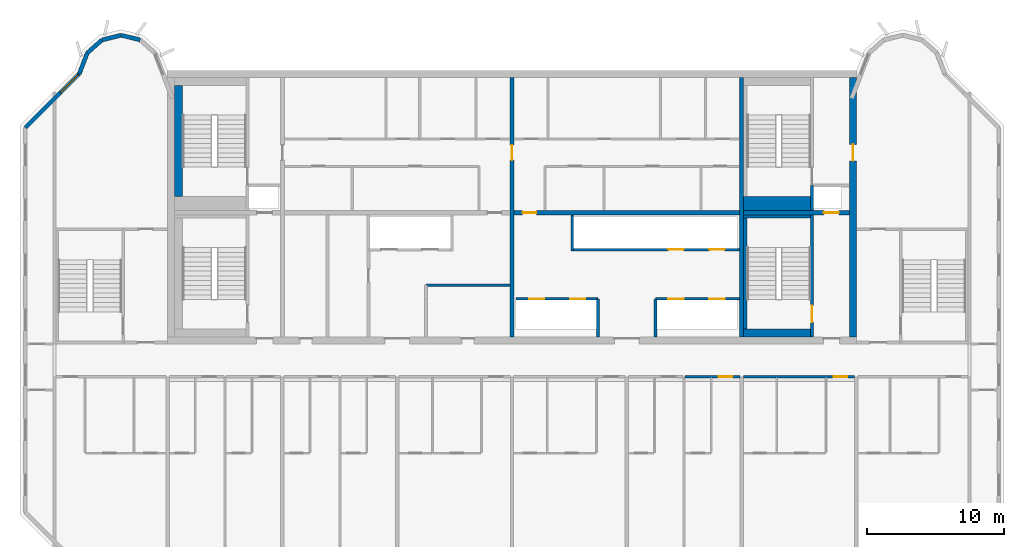
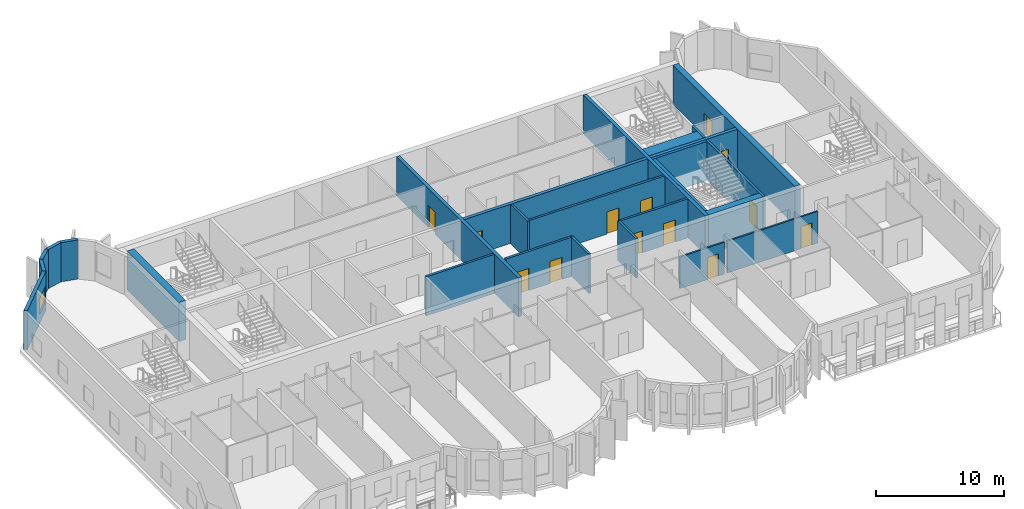
# One storey, part 6 of 12: 26 walls, 13 doors, 1 window, 14 openings.
"""IFC4 building model written with IfcOpenShell, lengths in metres."""

from ifc_helpers import new_model, si_unit, direction, frame, frame_2d, origin, place, context, subcontext, project, spatial, rectangle, extrude, source, transform, mapped, material, layer, layer_set, type_object, element, fill, save


model = new_model("IFC4")

# Units and contexts
model_context = context("Model", 3, precision=1e-05, world=origin(), true_north=direction((0.0, 1.0)))
body_context = subcontext(model_context, "Body", "Model", "MODEL_VIEW")
ifc_project = project(units=[si_unit("LENGTHUNIT", "METRE"), si_unit("AREAUNIT", "SQUARE_METRE"), si_unit("VOLUMEUNIT", "CUBIC_METRE"), si_unit("PLANEANGLEUNIT", "RADIAN"), si_unit("MASSUNIT", "GRAM", prefix="KILO")], contexts=[model_context])

# Site, building, storey
site_placement = place(None, origin())
site = spatial("IfcSite", under=ifc_project, at=site_placement, CompositionType="ELEMENT")
building_placement = place(site_placement, origin())
building = spatial("IfcBuilding", under=site, at=building_placement, Name="Vanashikhar Sky Hotel", CompositionType="ELEMENT")
storey_placement = place(building_placement, frame((0.0, 0.0, 297.699951171875)))
storey = spatial("IfcBuildingStorey", under=building, at=storey_placement, Name="L71", CompositionType="ELEMENT", Elevation=297.699951171875)

# Wall, opening, door
ifc_material_1 = material(Name="Concrete M50", Category="concrete")
ifc_layer_1 = layer(ifc_material_1, 0.5)
ifc_layer_set_1 = layer_set([ifc_layer_1], Name="RC core shell wall 500 Concrete M50")
wall_type_1 = type_object("IfcWallType", Name="RC core shell wall 500 Concrete M50", PredefinedType="SHEAR", material=ifc_layer_set_1)
shared_shape_1 = source(origin(), body_context, "Body", "SweptSolid", [
    extrude(rectangle(XDim=19.0, YDim=0.5, at=frame_2d((9.5, 0.0))), origin(), (0.0, 0.0, 1.0), 3.719970703125),
])
wall_1_placement = place(storey_placement, frame((75.35009765625, 22.5, 0.0), z_axis=(0.0, 0.0, 1.0), x_axis=(0.0, 1.0, 0.0)))
wall_1 = element("IfcWall", 1, at=wall_1_placement, inside=storey, type_object=wall_type_1, Name="KW-L71-KE", PredefinedType="SHEAR", context=body_context, shape_type="MappedRepresentation", body=[
    mapped(shared_shape_1, transform((0.0, 0.0, 0.0), scale=1.0)),
])
shared_shape_2 = source(origin(), body_context, "Body", "SweptSolid", [
    extrude(rectangle(XDim=1.199951171875, YDim=2.10009765625, at=frame_2d((0.60009765625, 1.050048828125))), frame((0.0, 0.260009765625, 0.0), z_axis=(0.0, -1.0, 0.0), x_axis=(1.0, 0.0, 0.0)), (0.0, 0.0, 1.0), 0.52001953125),
])
opening_1_placement = place(wall_1_placement, frame((12.89990234375, 0.0, 0.0)))
opening_1 = element("IfcOpeningElement", 2, at=opening_1_placement, cuts=wall_1, Name="Opening DC-4-D", PredefinedType="OPENING", context=body_context, shape_type="MappedRepresentation", body=[
    mapped(shared_shape_2, transform((0.0, 0.0, 0.0), scale=1.0)),
])
ifc_material_2 = material(Name="Steel", Category="steel")
door_type_1 = type_object("IfcDoorType", Name="Service door 1200 FD120", OperationType="NOTDEFINED", PredefinedType="DOOR", material=ifc_material_2)
shared_shape_3 = source(origin(), body_context, "Body", "SweptSolid", [
    extrude(rectangle(XDim=1.199951171875, YDim=2.10009765625, at=frame_2d((0.60009765625, 1.050048828125))), frame((0.0, 0.02490234375, 0.0), z_axis=(0.0, -1.0, 0.0), x_axis=(1.0, 0.0, 0.0)), (0.0, 0.0, 1.0), 0.050048828125),
])
door_1_placement = place(opening_1_placement, origin())
door_1 = element("IfcDoor", 3, at=door_1_placement, inside=storey, type_object=door_type_1, Name="Service door 1200 FD120", OperationType="SINGLE_SWING_LEFT", OverallHeight=2.10009765625, OverallWidth=1.199951171875, PredefinedType="DOOR", context=body_context, shape_type="MappedRepresentation", body=[
    mapped(shared_shape_3, transform((0.0, 0.0, 0.0), scale=1.0)),
])
fill(opening_1, door_1)

ifc_layer_2 = layer(ifc_material_1, 0.300048828125)
ifc_layer_set_2 = layer_set([ifc_layer_2], Name="RC core inner wall 300 Concrete M50")
wall_type_2 = type_object("IfcWallType", Name="RC core inner wall 300 Concrete M50", PredefinedType="SHEAR", material=ifc_layer_set_2)
shared_shape_4 = source(origin(), body_context, "Body", "SweptSolid", [
    extrude(rectangle(XDim=19.0, YDim=0.300048828125, at=frame_2d((9.5, 0.0))), origin(), (0.0, 0.0, 1.0), 3.719970703125),
])
wall_2_placement = place(storey_placement, frame((50.39990234375, 22.5, 0.0), z_axis=(0.0, 0.0, 1.0), x_axis=(0.0, 1.0, 0.0)))
wall_2 = element("IfcWall", 4, at=wall_2_placement, inside=storey, type_object=wall_type_2, Name="KW-L71-KX2", PredefinedType="SHEAR", context=body_context, shape_type="MappedRepresentation", body=[
    mapped(shared_shape_4, transform((0.0, 0.0, 0.0), scale=1.0)),
])
shared_shape_5 = source(origin(), body_context, "Body", "SweptSolid", [
    extrude(rectangle(XDim=1.10009765625, YDim=2.10009765625, at=frame_2d((0.550048828125, 1.050048828125))), frame((0.0, 0.16015625, 0.0), z_axis=(0.0, -1.0, 0.0), x_axis=(1.0, 0.0, 0.0)), (0.0, 0.0, 1.0), 0.320068359375),
])
opening_2_placement = place(wall_2_placement, frame((12.949951171875, 0.0, 0.0)))
opening_2 = element("IfcOpeningElement", 5, at=opening_2_placement, cuts=wall_2, Name="Opening DC-4-C", PredefinedType="OPENING", context=body_context, shape_type="MappedRepresentation", body=[
    mapped(shared_shape_5, transform((0.0, 0.0, 0.0), scale=1.0)),
])
door_type_2 = type_object("IfcDoorType", Name="Service door 1100 FD60", OperationType="NOTDEFINED", PredefinedType="DOOR", material=ifc_material_2)
shared_shape_6 = source(origin(), body_context, "Body", "SweptSolid", [
    extrude(rectangle(XDim=1.10009765625, YDim=2.10009765625, at=frame_2d((0.550048828125, 1.050048828125))), frame((0.0, 0.02490234375, 0.0), z_axis=(0.0, -1.0, 0.0), x_axis=(1.0, 0.0, 0.0)), (0.0, 0.0, 1.0), 0.050048828125),
])
door_2_placement = place(opening_2_placement, origin())
door_2 = element("IfcDoor", 6, at=door_2_placement, inside=storey, type_object=door_type_2, Name="Service door 1100 FD60", OperationType="SINGLE_SWING_LEFT", OverallHeight=2.10009765625, OverallWidth=1.10009765625, PredefinedType="DOOR", context=body_context, shape_type="MappedRepresentation", body=[
    mapped(shared_shape_6, transform((0.0, 0.0, 0.0), scale=1.0)),
])
fill(opening_2, door_2)

# Wall
wall_3_placement = place(storey_placement, frame((67.199951171875, 22.5, 0.0), z_axis=(0.0, 0.0, 1.0), x_axis=(0.0, 1.0, 0.0)))
element("IfcWall", 7, at=wall_3_placement, inside=storey, type_object=wall_type_2, Name="KW-L71-KX3", PredefinedType="SHEAR", context=body_context, shape_type="MappedRepresentation", body=[
    mapped(shared_shape_4, transform((0.0, 0.0, 0.0), scale=1.0)),
])

# Wall, opening, door
shared_shape_7 = source(origin(), body_context, "Body", "SweptSolid", [
    extrude(rectangle(XDim=7.75, YDim=0.300048828125, at=frame_2d((3.875, 0.0))), origin(), (0.0, 0.0, 1.0), 3.719970703125),
])
wall_4_placement = place(storey_placement, frame((67.35009765625, 31.60009765625, 0.0), z_axis=(0.0, 0.0, 1.0), x_axis=(1.0, 0.0, 0.0)))
wall_4 = element("IfcWall", 8, at=wall_4_placement, inside=storey, type_object=wall_type_2, Name="KW-L71-KY4", PredefinedType="SHEAR", context=body_context, shape_type="MappedRepresentation", body=[
    mapped(shared_shape_7, transform((0.0, 0.0, 0.0), scale=1.0)),
])
opening_3_placement = place(wall_4_placement, frame((5.875, 0.0, 0.0)))
opening_3 = element("IfcOpeningElement", 9, at=opening_3_placement, cuts=wall_4, Name="Opening LD", PredefinedType="OPENING", context=body_context, shape_type="MappedRepresentation", body=[
    mapped(shared_shape_5, transform((0.0, 0.0, 0.0), scale=1.0)),
])
ifc_material_3 = material(Name="Stainless steel", Category="steel")
door_type_3 = type_object("IfcDoorType", Name="Lift landing door 1100", OperationType="NOTDEFINED", PredefinedType="DOOR", material=ifc_material_3)
door_3_placement = place(opening_3_placement, origin())
door_3 = element("IfcDoor", 10, at=door_3_placement, inside=storey, type_object=door_type_3, Name="Lift landing door 1100", OperationType="SLIDING_TO_LEFT", OverallHeight=2.10009765625, OverallWidth=1.10009765625, PredefinedType="DOOR", context=body_context, shape_type="MappedRepresentation", body=[
    mapped(shared_shape_6, transform((0.0, 0.0, 0.0), scale=1.0)),
])
fill(opening_3, door_3)

shared_shape_8 = source(origin(), body_context, "Body", "SweptSolid", [
    extrude(rectangle(XDim=16.5, YDim=0.300048828125, at=frame_2d((8.25, 0.0))), origin(), (0.0, 0.0, 1.0), 3.719970703125),
])
wall_5_placement = place(storey_placement, frame((50.550048828125, 31.60009765625, 0.0), z_axis=(0.0, 0.0, 1.0), x_axis=(1.0, 0.0, 0.0)))
wall_5 = element("IfcWall", 11, at=wall_5_placement, inside=storey, type_object=wall_type_2, Name="KW-L71-KY3", PredefinedType="SHEAR", context=body_context, shape_type="MappedRepresentation", body=[
    mapped(shared_shape_8, transform((0.0, 0.0, 0.0), scale=1.0)),
])
shared_shape_9 = source(origin(), body_context, "Body", "SweptSolid", [
    extrude(rectangle(XDim=1.0, YDim=2.10009765625, at=frame_2d((0.5, 1.050048828125))), frame((0.0, 0.16015625, 0.0), z_axis=(0.0, -1.0, 0.0), x_axis=(1.0, 0.0, 0.0)), (0.0, 0.0, 1.0), 0.320068359375),
])
opening_4_placement = place(wall_5_placement, frame((0.625, 0.0, 0.0)))
opening_4 = element("IfcOpeningElement", 12, at=opening_4_placement, cuts=wall_5, Name="Opening DC-4", PredefinedType="OPENING", context=body_context, shape_type="MappedRepresentation", body=[
    mapped(shared_shape_9, transform((0.0, 0.0, 0.0), scale=1.0)),
])
door_type_4 = type_object("IfcDoorType", Name="Service door 1000 FD60", OperationType="NOTDEFINED", PredefinedType="DOOR", material=ifc_material_2)
shared_shape_10 = source(origin(), body_context, "Body", "SweptSolid", [
    extrude(rectangle(XDim=1.0, YDim=2.10009765625, at=frame_2d((0.5, 1.050048828125))), frame((0.0, 0.02490234375, 0.0), z_axis=(0.0, -1.0, 0.0), x_axis=(1.0, 0.0, 0.0)), (0.0, 0.0, 1.0), 0.050048828125),
])
door_4_placement = place(opening_4_placement, origin())
door_4 = element("IfcDoor", 13, at=door_4_placement, inside=storey, type_object=door_type_4, Name="Service door 1000 FD60", OperationType="SINGLE_SWING_RIGHT", OverallHeight=2.10009765625, OverallWidth=1.0, PredefinedType="DOOR", context=body_context, shape_type="MappedRepresentation", body=[
    mapped(shared_shape_10, transform((0.0, 0.0, 0.0), scale=1.0)),
])
fill(opening_4, door_4)

# Wall, opening, window
ifc_layer_3 = layer(ifc_material_1, 0.300048828125)
ifc_layer_set_3 = layer_set([ifc_layer_3], Name="Lobe wall 300")
wall_type_3 = type_object("IfcWallType", Name="Lobe wall 300", PredefinedType="SOLIDWALL", material=ifc_layer_set_3)
shared_shape_11 = source(origin(), body_context, "Body", "SweptSolid", [
    extrude(rectangle(XDim=5.576416015625, YDim=0.300048828125, at=frame_2d((2.7880859375, 0.0))), origin(), (0.0, 0.0, 1.0), 3.719970703125),
])
wall_6_placement = place(storey_placement, frame((18.7431640625, 41.77734375, 0.0), z_axis=(0.0, 0.0, 1.0), x_axis=(-0.707106781187, -0.707106781187, 0.0)))
wall_6 = element("IfcWall", 14, at=wall_6_placement, inside=storey, type_object=wall_type_3, Name="Corner wall", PredefinedType="SOLIDWALL", context=body_context, shape_type="MappedRepresentation", body=[
    mapped(shared_shape_11, transform((0.0, 0.0, 0.0), scale=1.0)),
])
shared_shape_12 = source(origin(), body_context, "Body", "SweptSolid", [
    extrude(rectangle(XDim=1.800048828125, YDim=1.5, at=frame_2d((0.89990234375, 0.75))), frame((0.0, 0.16015625, 0.0), z_axis=(0.0, -1.0, 0.0), x_axis=(1.0, 0.0, 0.0)), (0.0, 0.0, 1.0), 0.320068359375),
])
opening_5_placement = place(wall_6_placement, frame((0.135498046875, 0.0, 0.89990234375)))
opening_5 = element("IfcOpeningElement", 15, at=opening_5_placement, cuts=wall_6, Name="Opening WN-4", PredefinedType="OPENING", context=body_context, shape_type="MappedRepresentation", body=[
    mapped(shared_shape_12, transform((0.0, 0.0, 0.0), scale=1.0)),
])
ifc_material_4 = material(Name="Glass", Category="glass")
window_type = type_object("IfcWindowType", Name="Corner window 1800 x 1500", PartitioningType="SINGLE_PANEL", PredefinedType="WINDOW", material=ifc_material_4)
shared_shape_13 = source(origin(), body_context, "Body", "SweptSolid", [
    extrude(rectangle(XDim=1.800048828125, YDim=1.5, at=frame_2d((0.89990234375, 0.75))), frame((0.0, 0.030029296875, 0.0), z_axis=(0.0, -1.0, 0.0), x_axis=(1.0, 0.0, 0.0)), (0.0, 0.0, 1.0), 0.06005859375),
])
window_placement = place(opening_5_placement, origin())
window = element("IfcWindow", 16, at=window_placement, inside=storey, type_object=window_type, Name="Window WN-4", OverallHeight=1.5, OverallWidth=1.800048828125, PartitioningType="SINGLE_PANEL", PredefinedType="WINDOW", context=body_context, shape_type="MappedRepresentation", body=[
    mapped(shared_shape_13, transform((0.0, 0.0, 0.0), scale=1.0)),
])
fill(opening_5, window)

# Walls
shared_shape_14 = source(origin(), body_context, "Body", "SweptSolid", [
    extrude(rectangle(XDim=1.6220703125, YDim=0.300048828125, at=frame_2d((0.81103515625, 0.0))), origin(), (0.0, 0.0, 1.0), 3.719970703125),
])
wall_7_placement = place(storey_placement, frame((19.323486328125, 43.2919921875, 0.0), z_axis=(0.0, 0.0, 1.0), x_axis=(-0.357778527068, -0.933806471154, 0.0)))
element("IfcWall", 17, at=wall_7_placement, inside=storey, type_object=wall_type_3, Name="Lobe wall", PredefinedType="SOLIDWALL", context=body_context, shape_type="MappedRepresentation", body=[
    mapped(shared_shape_14, transform((0.0, 0.0, 0.0), scale=1.0)),
])
shared_shape_15 = source(origin(), body_context, "Body", "SweptSolid", [
    extrude(rectangle(XDim=1.43994140625, YDim=0.300048828125, at=frame_2d((0.719970703125, 0.0))), origin(), (0.0, 0.0, 1.0), 3.719970703125),
])
wall_8_placement = place(storey_placement, frame((20.40283203125, 44.2451171875, 0.0), z_axis=(0.0, 0.0, 1.0), x_axis=(-0.74957555648, -0.661918790432, 0.0)))
element("IfcWall", 18, at=wall_8_placement, inside=storey, type_object=wall_type_3, Name="Lobe wall", PredefinedType="SOLIDWALL", context=body_context, shape_type="MappedRepresentation", body=[
    mapped(shared_shape_15, transform((0.0, 0.0, 0.0), scale=1.0)),
])
shared_shape_16 = source(origin(), body_context, "Body", "SweptSolid", [
    extrude(rectangle(XDim=1.438720703125, YDim=0.300048828125, at=frame_2d((0.71923828125, 0.0))), origin(), (0.0, 0.0, 1.0), 3.719970703125),
])
wall_9_placement = place(storey_placement, frame((21.800048828125, 44.588134765625, 0.0), z_axis=(0.0, 0.0, 1.0), x_axis=(-0.971161932466, -0.238420848351, 0.0)))
element("IfcWall", 19, at=wall_9_placement, inside=storey, type_object=wall_type_3, Name="Lobe wall", PredefinedType="SOLIDWALL", context=body_context, shape_type="MappedRepresentation", body=[
    mapped(shared_shape_16, transform((0.0, 0.0, 0.0), scale=1.0)),
])
shared_shape_17 = source(origin(), body_context, "Body", "SweptSolid", [
    extrude(rectangle(XDim=1.4384765625, YDim=0.300048828125, at=frame_2d((0.71923828125, 0.0))), origin(), (0.0, 0.0, 1.0), 3.719970703125),
])
wall_10_placement = place(storey_placement, frame((23.197021484375, 44.2451171875, 0.0), z_axis=(0.0, 0.0, 1.0), x_axis=(-0.971152283879, 0.238460146601, 0.0)))
element("IfcWall", 20, at=wall_10_placement, inside=storey, type_object=wall_type_3, Name="Lobe wall", PredefinedType="SOLIDWALL", context=body_context, shape_type="MappedRepresentation", body=[
    mapped(shared_shape_17, transform((0.0, 0.0, 0.0), scale=1.0)),
])

# Wall, openings, doors
ifc_material_5 = material(Name="Concrete M40", Category="concrete")
ifc_layer_4 = layer(ifc_material_5, 0.199951171875)
ifc_layer_set_4 = layer_set([ifc_layer_4], Name="Shaft wall 200")
wall_type_4 = type_object("IfcWallType", Name="Shaft wall 200", PredefinedType="SOLIDWALL", material=ifc_layer_set_4)
shared_shape_18 = source(origin(), body_context, "Body", "SweptSolid", [
    extrude(rectangle(XDim=6.0, YDim=0.199951171875, at=frame_2d((3.0, 0.0))), origin(), (0.0, 0.0, 1.0), 3.719970703125),
])
wall_11_placement = place(storey_placement, frame((56.699951171875, 25.300048828125, 0.0), z_axis=(0.0, 0.0, 1.0), x_axis=(-1.0, 0.0, 0.0)))
wall_11 = element("IfcWall", 21, at=wall_11_placement, inside=storey, type_object=wall_type_4, Name="Shaft wall 200", PredefinedType="SOLIDWALL", context=body_context, shape_type="MappedRepresentation", body=[
    mapped(shared_shape_18, transform((0.0, 0.0, 0.0), scale=1.0)),
])
shared_shape_19 = source(origin(), body_context, "Body", "SweptSolid", [
    extrude(rectangle(XDim=1.10009765625, YDim=2.10009765625, at=frame_2d((0.550048828125, 1.050048828125))), frame((0.0, 0.10986328125, 0.0), z_axis=(0.0, -1.0, 0.0), x_axis=(1.0, 0.0, 0.0)), (0.0, 0.0, 1.0), 0.219970703125),
])
opening_6_placement = place(wall_11_placement, frame((0.949951171875, 0.0, 0.0)))
opening_6 = element("IfcOpeningElement", 22, at=opening_6_placement, cuts=wall_11, Name="Opening LD", PredefinedType="OPENING", context=body_context, shape_type="MappedRepresentation", body=[
    mapped(shared_shape_19, transform((0.0, 0.0, 0.0), scale=1.0)),
])
opening_7_placement = place(wall_11_placement, frame((3.949951171875, 0.0, 0.0)))
opening_7 = element("IfcOpeningElement", 23, at=opening_7_placement, cuts=wall_11, Name="Opening LD", PredefinedType="OPENING", context=body_context, shape_type="MappedRepresentation", body=[
    mapped(shared_shape_19, transform((0.0, 0.0, 0.0), scale=1.0)),
])
door_5_placement = place(opening_6_placement, origin())
door_5 = element("IfcDoor", 24, at=door_5_placement, inside=storey, type_object=door_type_3, Name="Lift landing door 1100", OperationType="SLIDING_TO_RIGHT", OverallHeight=2.10009765625, OverallWidth=1.10009765625, PredefinedType="DOOR", context=body_context, shape_type="MappedRepresentation", body=[
    mapped(shared_shape_6, transform((0.0, 0.0, 0.0), scale=1.0)),
])
fill(opening_6, door_5)
door_6_placement = place(opening_7_placement, origin())
door_6 = element("IfcDoor", 25, at=door_6_placement, inside=storey, type_object=door_type_3, Name="Lift landing door 1100", OperationType="SLIDING_TO_LEFT", OverallHeight=2.10009765625, OverallWidth=1.10009765625, PredefinedType="DOOR", context=body_context, shape_type="MappedRepresentation", body=[
    mapped(shared_shape_6, transform((0.0, 0.0, 0.0), scale=1.0)),
])
fill(opening_7, door_6)

# Walls
shared_shape_20 = source(origin(), body_context, "Body", "SweptSolid", [
    extrude(rectangle(XDim=2.800048828125, YDim=0.199951171875, at=frame_2d((1.39990234375, 0.0))), origin(), (0.0, 0.0, 1.0), 3.719970703125),
])
for number, where, z_axis, x_axis, name in (
    (26, (60.89990234375, 22.5, 0.0), (0.0, 0.0, 1.0), (0.0, 1.0, 0.0), "Shaft wall 200"),
    (27, (56.699951171875, 22.5, 0.0), (0.0, 0.0, 1.0), (0.0, 1.0, 0.0), "Shaft wall 200"),
):
    element("IfcWall", number, at=place(storey_placement, frame(where, z_axis=z_axis, x_axis=x_axis)), inside=storey, type_object=wall_type_4, Name=name, PredefinedType="SOLIDWALL", context=body_context, shape_type="MappedRepresentation", body=[
        mapped(shared_shape_20, transform((0.0, 0.0, 0.0), scale=1.0)),
    ])
shared_shape_21 = source(origin(), body_context, "Body", "SweptSolid", [
    extrude(rectangle(XDim=2.64990234375, YDim=0.199951171875, at=frame_2d((1.324951171875, 0.0))), origin(), (0.0, 0.0, 1.0), 3.719970703125),
])
wall_12_placement = place(storey_placement, frame((54.800048828125, 28.800048828125, 0.0), z_axis=(0.0, 0.0, 1.0), x_axis=(0.0, 1.0, 0.0)))
element("IfcWall", 28, at=wall_12_placement, inside=storey, type_object=wall_type_4, Name="Shaft wall 200", PredefinedType="SOLIDWALL", context=body_context, shape_type="MappedRepresentation", body=[
    mapped(shared_shape_21, transform((0.0, 0.0, 0.0), scale=1.0)),
])
ifc_material_6 = material(Name="Gypsum board partition")
ifc_layer_5 = layer(ifc_material_6, 0.14990234375)
ifc_layer_set_5 = layer_set([ifc_layer_5], Name="Service partition 150")
wall_type_5 = type_object("IfcWallType", Name="Service partition 150", PredefinedType="PARTITIONING", material=ifc_layer_set_5)
shared_shape_22 = source(origin(), body_context, "Body", "SweptSolid", [
    extrude(rectangle(XDim=6.14990234375, YDim=0.199951171875, at=frame_2d((3.074951171875, 0.0))), origin(), (0.0, 0.0, 1.0), 3.719970703125),
])
wall_13_placement = place(storey_placement, frame((44.10009765625, 26.300048828125, 0.0), z_axis=(0.0, 0.0, 1.0), x_axis=(1.0, 0.0, 0.0)))
element("IfcWall", 29, at=wall_13_placement, inside=storey, type_object=wall_type_5, Name="Service partition 150", PredefinedType="PARTITIONING", context=body_context, shape_type="MappedRepresentation", body=[
    mapped(shared_shape_22, transform((0.0, 0.0, 0.0), scale=1.0)),
])

# Wall, openings, doors
shared_shape_23 = source(origin(), body_context, "Body", "SweptSolid", [
    extrude(rectangle(XDim=6.150146484375, YDim=0.199951171875, at=frame_2d((3.0751953125, 0.0))), origin(), (0.0, 0.0, 1.0), 3.719970703125),
])
wall_14_placement = place(storey_placement, frame((67.050048828125, 25.300048828125, 0.0), z_axis=(0.0, 0.0, 1.0), x_axis=(-1.0, 0.0, 0.0)))
wall_14 = element("IfcWall", 30, at=wall_14_placement, inside=storey, type_object=wall_type_4, Name="Shaft wall 200", PredefinedType="SOLIDWALL", context=body_context, shape_type="MappedRepresentation", body=[
    mapped(shared_shape_23, transform((0.0, 0.0, 0.0), scale=1.0)),
])
opening_8_placement = place(wall_14_placement, frame((1.10009765625, 0.0, 0.0)))
opening_8 = element("IfcOpeningElement", 31, at=opening_8_placement, cuts=wall_14, Name="Opening LD", PredefinedType="OPENING", context=body_context, shape_type="MappedRepresentation", body=[
    mapped(shared_shape_19, transform((0.0, 0.0, 0.0), scale=1.0)),
])
opening_9_placement = place(wall_14_placement, frame((4.10009765625, 0.0, 0.0)))
opening_9 = element("IfcOpeningElement", 32, at=opening_9_placement, cuts=wall_14, Name="Opening LD", PredefinedType="OPENING", context=body_context, shape_type="MappedRepresentation", body=[
    mapped(shared_shape_19, transform((0.0, 0.0, 0.0), scale=1.0)),
])
door_7_placement = place(opening_8_placement, origin())
door_7 = element("IfcDoor", 33, at=door_7_placement, inside=storey, type_object=door_type_3, Name="Lift landing door 1100", OperationType="SLIDING_TO_RIGHT", OverallHeight=2.10009765625, OverallWidth=1.10009765625, PredefinedType="DOOR", context=body_context, shape_type="MappedRepresentation", body=[
    mapped(shared_shape_6, transform((0.0, 0.0, 0.0), scale=1.0)),
])
fill(opening_8, door_7)
door_8_placement = place(opening_9_placement, origin())
door_8 = element("IfcDoor", 34, at=door_8_placement, inside=storey, type_object=door_type_3, Name="Lift landing door 1100", OperationType="SLIDING_TO_LEFT", OverallHeight=2.10009765625, OverallWidth=1.10009765625, PredefinedType="DOOR", context=body_context, shape_type="MappedRepresentation", body=[
    mapped(shared_shape_6, transform((0.0, 0.0, 0.0), scale=1.0)),
])
fill(opening_9, door_8)

shared_shape_24 = source(origin(), body_context, "Body", "SweptSolid", [
    extrude(rectangle(XDim=12.150146484375, YDim=0.199951171875, at=frame_2d((6.0751953125, 0.0))), origin(), (0.0, 0.0, 1.0), 3.719970703125),
])
wall_15_placement = place(storey_placement, frame((67.050048828125, 28.89990234375, 0.0), z_axis=(0.0, 0.0, 1.0), x_axis=(-1.0, 0.0, 0.0)))
wall_15 = element("IfcWall", 35, at=wall_15_placement, inside=storey, type_object=wall_type_4, Name="Shaft wall 200", PredefinedType="SOLIDWALL", context=body_context, shape_type="MappedRepresentation", body=[
    mapped(shared_shape_24, transform((0.0, 0.0, 0.0), scale=1.0)),
])
opening_10_placement = place(wall_15_placement, frame((1.10009765625, 0.0, 0.0)))
opening_10 = element("IfcOpeningElement", 36, at=opening_10_placement, cuts=wall_15, Name="Opening LD", PredefinedType="OPENING", context=body_context, shape_type="MappedRepresentation", body=[
    mapped(shared_shape_19, transform((0.0, 0.0, 0.0), scale=1.0)),
])
opening_11_placement = place(wall_15_placement, frame((4.10009765625, 0.0, 0.0)))
opening_11 = element("IfcOpeningElement", 37, at=opening_11_placement, cuts=wall_15, Name="Opening LD", PredefinedType="OPENING", context=body_context, shape_type="MappedRepresentation", body=[
    mapped(shared_shape_19, transform((0.0, 0.0, 0.0), scale=1.0)),
])
door_9_placement = place(opening_10_placement, origin())
door_9 = element("IfcDoor", 38, at=door_9_placement, inside=storey, type_object=door_type_3, Name="Lift landing door 1100", OperationType="SLIDING_TO_RIGHT", OverallHeight=2.10009765625, OverallWidth=1.10009765625, PredefinedType="DOOR", context=body_context, shape_type="MappedRepresentation", body=[
    mapped(shared_shape_6, transform((0.0, 0.0, 0.0), scale=1.0)),
])
fill(opening_10, door_9)
door_10_placement = place(opening_11_placement, origin())
door_10 = element("IfcDoor", 39, at=door_10_placement, inside=storey, type_object=door_type_3, Name="Lift landing door 1100", OperationType="SLIDING_TO_LEFT", OverallHeight=2.10009765625, OverallWidth=1.10009765625, PredefinedType="DOOR", context=body_context, shape_type="MappedRepresentation", body=[
    mapped(shared_shape_6, transform((0.0, 0.0, 0.0), scale=1.0)),
])
fill(opening_11, door_10)

# Wall, opening, door
ifc_layer_6 = layer(ifc_material_1, 0.199951171875)
ifc_layer_set_6 = layer_set([ifc_layer_6], Name="Stair wall 200")
wall_type_6 = type_object("IfcWallType", Name="Stair wall 200", PredefinedType="SOLIDWALL", material=ifc_layer_set_6)
shared_shape_25 = source(origin(), body_context, "Body", "SweptSolid", [
    extrude(rectangle(XDim=8.949951171875, YDim=0.199951171875, at=frame_2d((4.47509765625, 0.0))), origin(), (0.0, 0.0, 1.0), 3.719970703125),
])
wall_16_placement = place(storey_placement, frame((72.35009765625, 22.5, 0.0), z_axis=(0.0, 0.0, 1.0), x_axis=(0.0, 1.0, 0.0)))
wall_16 = element("IfcWall", 40, at=wall_16_placement, inside=storey, type_object=wall_type_6, Name="Stair wall 200", PredefinedType="SOLIDWALL", context=body_context, shape_type="MappedRepresentation", body=[
    mapped(shared_shape_25, transform((0.0, 0.0, 0.0), scale=1.0)),
])
shared_shape_26 = source(origin(), body_context, "Body", "SweptSolid", [
    extrude(rectangle(XDim=1.199951171875, YDim=2.10009765625, at=frame_2d((0.60009765625, 1.050048828125))), frame((0.0, 0.10986328125, 0.0), z_axis=(0.0, -1.0, 0.0), x_axis=(1.0, 0.0, 0.0)), (0.0, 0.0, 1.0), 0.219970703125),
])
opening_12_placement = place(wall_16_placement, frame((1.10009765625, 0.0, 0.0)))
opening_12 = element("IfcOpeningElement", 41, at=opening_12_placement, cuts=wall_16, Name="Opening DC-1", PredefinedType="OPENING", context=body_context, shape_type="MappedRepresentation", body=[
    mapped(shared_shape_26, transform((0.0, 0.0, 0.0), scale=1.0)),
])
door_type_5 = type_object("IfcDoorType", Name="Stair door 1200 FD120", OperationType="NOTDEFINED", PredefinedType="DOOR", material=ifc_material_2)
door_11_placement = place(opening_12_placement, origin())
door_11 = element("IfcDoor", 42, at=door_11_placement, inside=storey, type_object=door_type_5, Name="Stair door 1200 FD120", OperationType="SINGLE_SWING_LEFT", OverallHeight=2.10009765625, OverallWidth=1.199951171875, PredefinedType="DOOR", context=body_context, shape_type="MappedRepresentation", body=[
    mapped(shared_shape_3, transform((0.0, 0.0, 0.0), scale=1.0)),
])
fill(opening_12, door_11)

# Walls
shared_shape_27 = source(origin(), body_context, "Body", "SweptSolid", [
    extrude(rectangle(XDim=1.85009765625, YDim=0.199951171875, at=frame_2d((0.925048828125, 0.0))), origin(), (0.0, 0.0, 1.0), 3.719970703125),
])
wall_17_placement = place(storey_placement, frame((72.35009765625, 31.75, 0.0), z_axis=(0.0, 0.0, 1.0), x_axis=(0.0, 1.0, 0.0)))
element("IfcWall", 43, at=wall_17_placement, inside=storey, type_object=wall_type_4, Name="Shaft wall 200", PredefinedType="SOLIDWALL", context=body_context, shape_type="MappedRepresentation", body=[
    mapped(shared_shape_27, transform((0.0, 0.0, 0.0), scale=1.0)),
])
ifc_layer_7 = layer(ifc_material_1, 0.60009765625)
ifc_layer_set_7 = layer_set([ifc_layer_7], Name="Stair infill wall 600")
wall_type_7 = type_object("IfcWallType", Name="Stair infill wall 600", PredefinedType="SOLIDWALL", material=ifc_layer_set_7)
shared_shape_28 = source(origin(), body_context, "Body", "SweptSolid", [
    extrude(rectangle(XDim=8.099853515625, YDim=0.60009765625, at=frame_2d((4.0498046875, 0.0))), origin(), (0.0, 0.0, 1.0), 3.719970703125),
])
wall_18_placement = place(storey_placement, frame((26.0, 32.800048828125, 0.0), z_axis=(0.0, 0.0, 1.0), x_axis=(0.0, 1.0, 0.0)))
element("IfcWall", 44, at=wall_18_placement, inside=storey, type_object=wall_type_7, Name="Stair infill wall 600", PredefinedType="SOLIDWALL", context=body_context, shape_type="MappedRepresentation", body=[
    mapped(shared_shape_28, transform((0.0, 0.0, 0.0), scale=1.0)),
])
shared_shape_29 = source(origin(), body_context, "Body", "SweptSolid", [
    extrude(rectangle(XDim=4.89990234375, YDim=0.60009765625, at=frame_2d((2.449951171875, 0.0))), origin(), (0.0, 0.0, 1.0), 3.719970703125),
])
wall_19_placement = place(storey_placement, frame((67.35009765625, 22.800048828125, 0.0), z_axis=(0.0, 0.0, 1.0), x_axis=(1.0, 0.0, 0.0)))
element("IfcWall", 45, at=wall_19_placement, inside=storey, type_object=wall_type_7, Name="Stair infill wall 600", PredefinedType="SOLIDWALL", context=body_context, shape_type="MappedRepresentation", body=[
    mapped(shared_shape_29, transform((0.0, 0.0, 0.0), scale=1.0)),
])
ifc_layer_8 = layer(ifc_material_1, 0.25)
ifc_layer_set_8 = layer_set([ifc_layer_8], Name="Stair infill wall 250")
wall_type_8 = type_object("IfcWallType", Name="Stair infill wall 250", PredefinedType="SOLIDWALL", material=ifc_layer_set_8)
shared_shape_30 = source(origin(), body_context, "Body", "SweptSolid", [
    extrude(rectangle(XDim=4.89990234375, YDim=0.25, at=frame_2d((2.449951171875, 0.0))), origin(), (0.0, 0.0, 1.0), 3.719970703125),
])
wall_20_placement = place(storey_placement, frame((67.35009765625, 31.324951171875, 0.0), z_axis=(0.0, 0.0, 1.0), x_axis=(1.0, 0.0, 0.0)))
element("IfcWall", 46, at=wall_20_placement, inside=storey, type_object=wall_type_8, Name="Stair infill wall 250", PredefinedType="SOLIDWALL", context=body_context, shape_type="MappedRepresentation", body=[
    mapped(shared_shape_30, transform((0.0, 0.0, 0.0), scale=1.0)),
])
shared_shape_31 = source(origin(), body_context, "Body", "SweptSolid", [
    extrude(rectangle(XDim=8.099853515625, YDim=0.25, at=frame_2d((4.0498046875, 0.0))), origin(), (0.0, 0.0, 1.0), 3.719970703125),
])
wall_21_placement = place(storey_placement, frame((67.47509765625, 23.10009765625, 0.0), z_axis=(0.0, 0.0, 1.0), x_axis=(0.0, 1.0, 0.0)))
element("IfcWall", 47, at=wall_21_placement, inside=storey, type_object=wall_type_8, Name="Stair infill wall 250", PredefinedType="SOLIDWALL", context=body_context, shape_type="MappedRepresentation", body=[
    mapped(shared_shape_31, transform((0.0, 0.0, 0.0), scale=1.0)),
])
ifc_layer_9 = layer(ifc_material_1, 1.050048828125)
ifc_layer_set_9 = layer_set([ifc_layer_9], Name="Stair infill wall 1050")
wall_type_9 = type_object("IfcWallType", Name="Stair infill wall 1050", PredefinedType="SOLIDWALL", material=ifc_layer_set_9)
shared_shape_32 = source(origin(), body_context, "Body", "SweptSolid", [
    extrude(rectangle(XDim=4.89990234375, YDim=1.050048828125, at=frame_2d((2.449951171875, 0.0))), origin(), (0.0, 0.0, 1.0), 3.719970703125),
])
wall_22_placement = place(storey_placement, frame((67.35009765625, 32.27490234375, 0.0), z_axis=(0.0, 0.0, 1.0), x_axis=(1.0, 0.0, 0.0)))
element("IfcWall", 48, at=wall_22_placement, inside=storey, type_object=wall_type_9, Name="Stair infill wall 1050", PredefinedType="SOLIDWALL", context=body_context, shape_type="MappedRepresentation", body=[
    mapped(shared_shape_32, transform((0.0, 0.0, 0.0), scale=1.0)),
])

# Wall, opening, door
ifc_material_7 = material(Name="Gypsum plasterboard partition")
ifc_layer_10 = layer(ifc_material_7, 0.14990234375)
ifc_layer_set_10 = layer_set([ifc_layer_10], Name="Corridor and demising partition 150")
wall_type_10 = type_object("IfcWallType", Name="Corridor and demising partition 150", PredefinedType="PARTITIONING", material=ifc_layer_set_10)
shared_shape_33 = source(origin(), body_context, "Body", "SweptSolid", [
    extrude(rectangle(XDim=8.150146484375, YDim=0.14990234375, at=frame_2d((4.0751953125, 0.0))), origin(), (0.0, 0.0, 1.0), 3.02001953125),
])
wall_23_placement = place(storey_placement, frame((67.324951171875, 19.60009765625, 0.0), z_axis=(0.0, 0.0, 1.0), x_axis=(1.0, 0.0, 0.0)))
wall_23 = element("IfcWall", 49, at=wall_23_placement, inside=storey, type_object=wall_type_10, Name="W-L71-PW041", PredefinedType="PARTITIONING", context=body_context, shape_type="MappedRepresentation", body=[
    mapped(shared_shape_33, transform((0.0, 0.0, 0.0), scale=1.0)),
])
shared_shape_34 = source(origin(), body_context, "Body", "SweptSolid", [
    extrude(rectangle(XDim=1.0, YDim=2.10009765625, at=frame_2d((0.5, 1.050048828125))), frame((0.0, 0.0849609375, 0.0), z_axis=(0.0, -1.0, 0.0), x_axis=(1.0, 0.0, 0.0)), (0.0, 0.0, 1.0), 0.169921875),
])
opening_13_placement = place(wall_23_placement, frame((6.60009765625, 0.0, 0.0)))
opening_13 = element("IfcOpeningElement", 50, at=opening_13_placement, cuts=wall_23, Name="Opening D-01", PredefinedType="OPENING", context=body_context, shape_type="MappedRepresentation", body=[
    mapped(shared_shape_34, transform((0.0, 0.0, 0.0), scale=1.0)),
])
ifc_material_8 = material(Name="Timber fire door", Category="wood")
door_type_6 = type_object("IfcDoorType", Name="Guest entry door 1000 FD30S", OperationType="NOTDEFINED", PredefinedType="DOOR", material=ifc_material_8)
door_12_placement = place(opening_13_placement, origin())
door_12 = element("IfcDoor", 51, at=door_12_placement, inside=storey, type_object=door_type_6, Name="D-L71-024", OperationType="SINGLE_SWING_RIGHT", OverallHeight=2.10009765625, OverallWidth=1.0, PredefinedType="DOOR", context=body_context, shape_type="MappedRepresentation", body=[
    mapped(shared_shape_10, transform((0.0, 0.0, 0.0), scale=1.0)),
])
fill(opening_13, door_12)

shared_shape_35 = source(origin(), body_context, "Body", "SweptSolid", [
    extrude(rectangle(XDim=4.0, YDim=0.14990234375, at=frame_2d((2.0, 0.0))), origin(), (0.0, 0.0, 1.0), 3.02001953125),
])
wall_24_placement = place(storey_placement, frame((63.074951171875, 19.60009765625, 0.0), z_axis=(0.0, 0.0, 1.0), x_axis=(1.0, 0.0, 0.0)))
wall_24 = element("IfcWall", 52, at=wall_24_placement, inside=storey, type_object=wall_type_10, Name="W-L71-PW035", PredefinedType="PARTITIONING", context=body_context, shape_type="MappedRepresentation", body=[
    mapped(shared_shape_35, transform((0.0, 0.0, 0.0), scale=1.0)),
])
opening_14_placement = place(wall_24_placement, frame((2.449951171875, 0.0, 0.0)))
opening_14 = element("IfcOpeningElement", 53, at=opening_14_placement, cuts=wall_24, Name="Opening D-01", PredefinedType="OPENING", context=body_context, shape_type="MappedRepresentation", body=[
    mapped(shared_shape_34, transform((0.0, 0.0, 0.0), scale=1.0)),
])
door_13_placement = place(opening_14_placement, origin())
door_13 = element("IfcDoor", 54, at=door_13_placement, inside=storey, type_object=door_type_6, Name="D-L71-021", OperationType="SINGLE_SWING_RIGHT", OverallHeight=2.10009765625, OverallWidth=1.0, PredefinedType="DOOR", context=body_context, shape_type="MappedRepresentation", body=[
    mapped(shared_shape_10, transform((0.0, 0.0, 0.0), scale=1.0)),
])
fill(opening_14, door_13)

save(model, "model.ifc")
